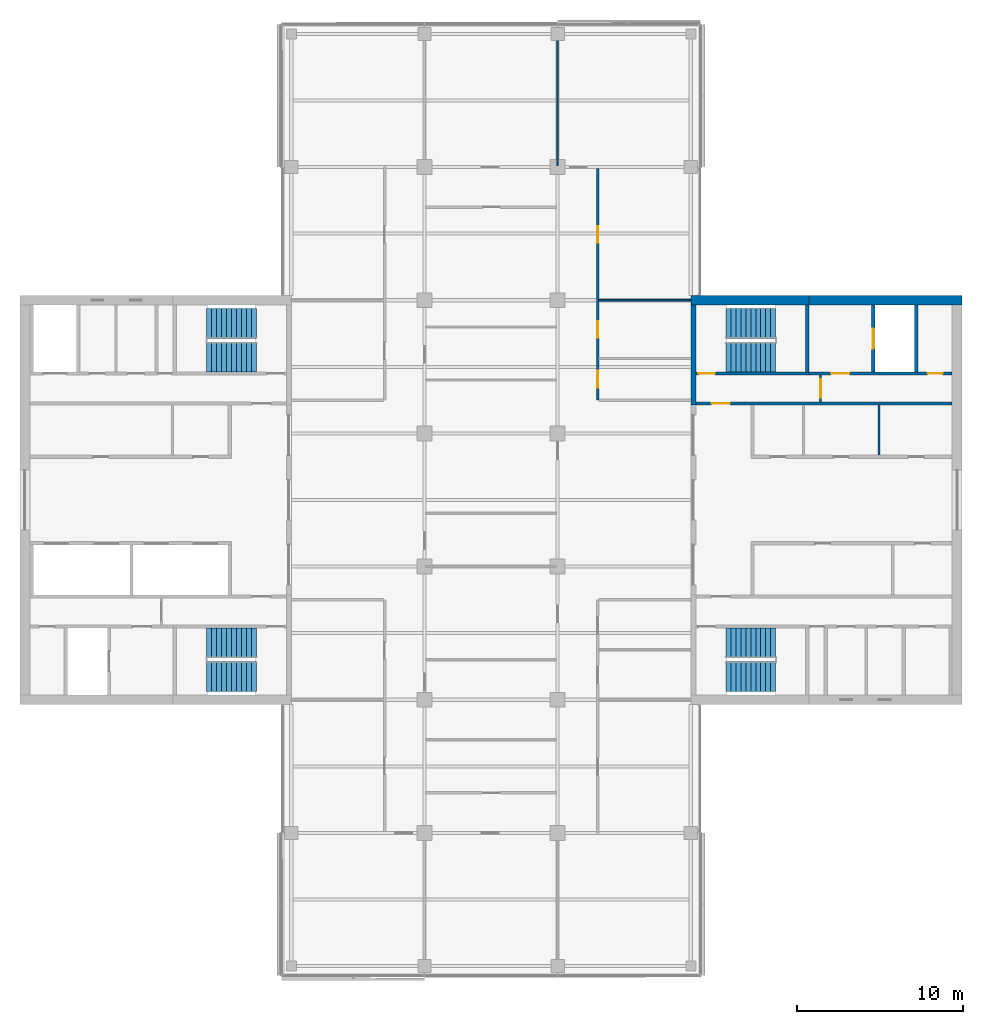
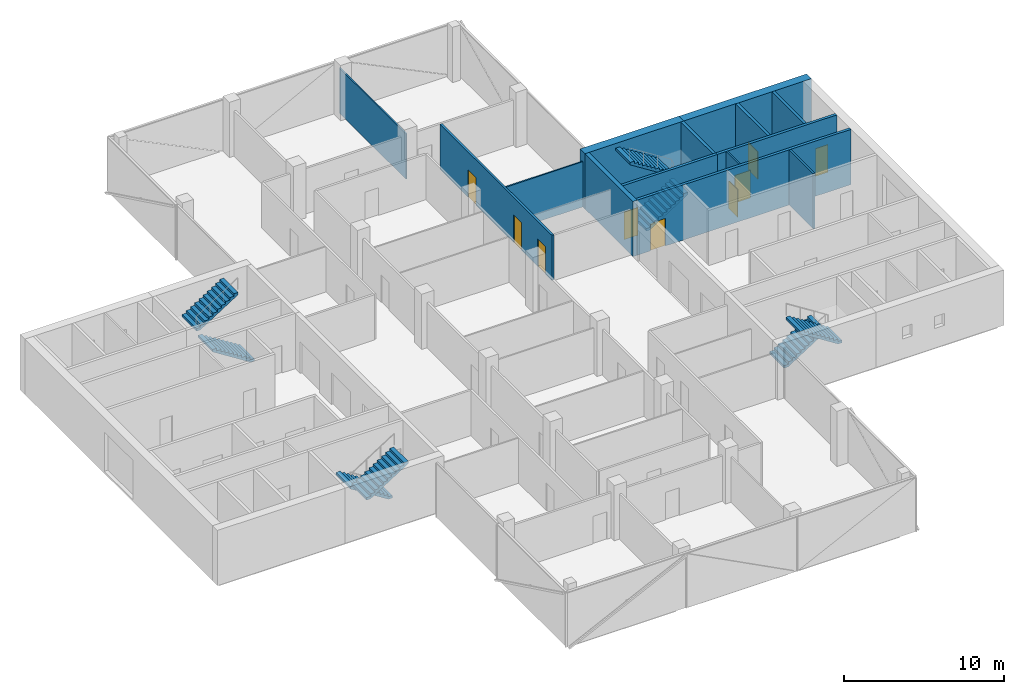
# One storey, part 12 of 15: 14 walls, 9 doors, 8 stair flights, 9 openings, 4 elements without a shape of their own.
"""IFC4 building model written with IfcOpenShell, lengths in metres."""

from ifc_helpers import new_model, si_unit, direction, frame, frame_2d, origin, place, context, subcontext, project, spatial, polyline, rectangle, outline, extrude, material, layer, layer_set, constituent, constituent_set, type_object, element, fill, aggregate, save


model = new_model("IFC4")

# Units and contexts
model_context = context("Model", 3, precision=1e-05, world=origin(), true_north=direction((0.0, 1.0)))
body_context = subcontext(model_context, "Body", "Model", "MODEL_VIEW")
ifc_project = project(units=[si_unit("LENGTHUNIT", "METRE"), si_unit("AREAUNIT", "SQUARE_METRE"), si_unit("VOLUMEUNIT", "CUBIC_METRE"), si_unit("PLANEANGLEUNIT", "RADIAN"), si_unit("MASSUNIT", "GRAM", prefix="KILO")], contexts=[model_context])

# Site, building, storey
site_placement = place(None, origin())
site = spatial("IfcSite", under=ifc_project, at=site_placement, CompositionType="ELEMENT")
building_placement = place(site_placement, origin())
building = spatial("IfcBuilding", under=site, at=building_placement, Name="Crosswind Convention Tower", CompositionType="ELEMENT")
storey_placement = place(building_placement, frame((0.0, 0.0, 204.10009765625)))
storey = spatial("IfcBuildingStorey", under=building, at=storey_placement, Name="L43", CompositionType="ELEMENT", Elevation=204.10009765625)

# Wall
ifc_material_1 = material(Name="Concrete C50/60", Category="concrete")
ifc_layer_1 = layer(ifc_material_1, 0.300048828125)
ifc_layer_set_1 = layer_set([ifc_layer_1], Name="Concrete C50/60")
wall_type_1 = type_object("IfcWallType", Name="Concrete inner core wall 300", PredefinedType="SHEAR", material=ifc_layer_set_1)
wall_1_placement = place(storey_placement, frame((137.14990234375, 105.699951171875, 0.0), z_axis=(0.0, 0.0, 1.0), x_axis=(0.0, 1.0, 0.0)))
element("IfcWall", 1, at=wall_1_placement, inside=storey, type_object=wall_type_1, Name="Wall EP E L43", PredefinedType="SHEAR", context=body_context, shape_type="SweptSolid", body=[
    extrude(rectangle(XDim=6.0, YDim=0.300048828125, at=frame_2d((3.0, 0.0))), origin(), (0.0, 0.0, 1.0), 4.199951171875),
])

# Wall, opening, door
ifc_layer_2 = layer(ifc_material_1, 0.199951171875)
ifc_layer_set_2 = layer_set([ifc_layer_2], Name="Concrete C50/60")
wall_type_2 = type_object("IfcWallType", Name="Concrete shaft and stair wall 200", PredefinedType="SHEAR", material=ifc_layer_set_2)
wall_2_placement = place(storey_placement, frame((137.300048828125, 105.800048828125, 0.0), z_axis=(0.0, 0.0, 1.0), x_axis=(1.0, 0.0, 0.0)))
wall_2 = element("IfcWall", 2, at=wall_2_placement, inside=storey, type_object=wall_type_2, Name="Wall HP E L43", PredefinedType="SHEAR", context=body_context, shape_type="SweptSolid", body=[
    extrude(rectangle(XDim=15.39990234375, YDim=0.199951171875, at=frame_2d((7.699951171875, 0.0))), origin(), (0.0, 0.0, 1.0), 4.199951171875),
])
opening_1_placement = place(wall_2_placement, frame((0.949951171875, 0.0, 0.0)))
opening_1 = element("IfcOpeningElement", 3, at=opening_1_placement, cuts=wall_2, Name="Opening D104", PredefinedType="OPENING", context=body_context, shape_type="SweptSolid", body=[
    extrude(rectangle(XDim=1.10009765625, YDim=2.10009765625, at=frame_2d((0.550048828125, 1.050048828125))), frame((0.0, 0.10986328125, 0.0), z_axis=(0.0, -1.0, 0.0), x_axis=(1.0, 0.0, 0.0)), (0.0, 0.0, 1.0), 0.219970703125),
])
ifc_material_2 = material(Name="Steel fire door", Category="steel")
door_type_1 = type_object("IfcDoorType", Name="Fire-rated single door 1100x2100", OperationType="NOTDEFINED", PredefinedType="DOOR", material=ifc_material_2)
door_1_placement = place(opening_1_placement, origin())
door_1 = element("IfcDoor", 4, at=door_1_placement, inside=storey, type_object=door_type_1, Name="Corridor door L43", ObjectType="D104", OperationType="SINGLE_SWING_LEFT", OverallHeight=2.10009765625, OverallWidth=1.10009765625, PredefinedType="DOOR", context=body_context, shape_type="SweptSolid", body=[
    extrude(rectangle(XDim=1.10009765625, YDim=2.10009765625, at=frame_2d((0.550048828125, 1.050048828125))), frame((0.0, 0.02490234375, 0.0), z_axis=(0.0, -1.0, 0.0), x_axis=(1.0, 0.0, 0.0)), (0.0, 0.0, 1.0), 0.050048828125),
])
fill(opening_1, door_1)

# Wall
wall_3_placement = place(storey_placement, frame((144.0, 107.699951171875, 0.0), z_axis=(0.0, 0.0, 1.0), x_axis=(0.0, 1.0, 0.0)))
element("IfcWall", 5, at=wall_3_placement, inside=storey, type_object=wall_type_2, Name="Wall PSE E L43", PredefinedType="SHEAR", context=body_context, shape_type="SweptSolid", body=[
    extrude(rectangle(XDim=4.0, YDim=0.199951171875, at=frame_2d((2.0, 0.0))), origin(), (0.0, 0.0, 1.0), 4.199951171875),
])

# Wall, opening, door
wall_4_placement = place(storey_placement, frame((147.949951171875, 107.699951171875, 0.0), z_axis=(0.0, 0.0, 1.0), x_axis=(0.0, 1.0, 0.0)))
wall_4 = element("IfcWall", 6, at=wall_4_placement, inside=storey, type_object=wall_type_2, Name="Wall PFLW E L43", PredefinedType="SHEAR", context=body_context, shape_type="SweptSolid", body=[
    extrude(rectangle(XDim=4.0, YDim=0.199951171875, at=frame_2d((2.0, 0.0))), origin(), (0.0, 0.0, 1.0), 4.199951171875),
])
opening_2_placement = place(wall_4_placement, frame((1.39990234375, 0.0, 0.0)))
opening_2 = element("IfcOpeningElement", 7, at=opening_2_placement, cuts=wall_4, Name="Opening LD1", PredefinedType="OPENING", context=body_context, shape_type="SweptSolid", body=[
    extrude(rectangle(XDim=1.199951171875, YDim=2.10009765625, at=frame_2d((0.60009765625, 1.050048828125))), frame((0.0, 0.10986328125, 0.0), z_axis=(0.0, -1.0, 0.0), x_axis=(1.0, 0.0, 0.0)), (0.0, 0.0, 1.0), 0.219970703125),
])
ifc_material_3 = material(Name="Stainless steel", Category="steel")
door_type_2 = type_object("IfcDoorType", Name="Lift landing door 1200x2100", OperationType="DOUBLE_DOOR_SLIDING", PredefinedType="DOOR", material=ifc_material_3)
door_2_placement = place(opening_2_placement, origin())
door_2 = element("IfcDoor", 8, at=door_2_placement, inside=storey, type_object=door_type_2, Name="Landing door FF1 L43", ObjectType="LD1", OperationType="DOUBLE_DOOR_SLIDING", OverallHeight=2.10009765625, OverallWidth=1.199951171875, PredefinedType="DOOR", context=body_context, shape_type="SweptSolid", body=[
    extrude(rectangle(XDim=1.199951171875, YDim=2.10009765625, at=frame_2d((0.60009765625, 1.050048828125))), frame((0.0, 0.02490234375, 0.0), z_axis=(0.0, -1.0, 0.0), x_axis=(1.0, 0.0, 0.0)), (0.0, 0.0, 1.0), 0.050048828125),
])
fill(opening_2, door_2)

# Wall
wall_5_placement = place(storey_placement, frame((150.550048828125, 107.699951171875, 0.0), z_axis=(0.0, 0.0, 1.0), x_axis=(0.0, 1.0, 0.0)))
element("IfcWall", 9, at=wall_5_placement, inside=storey, type_object=wall_type_2, Name="Wall PFSE E L43", PredefinedType="SHEAR", context=body_context, shape_type="SweptSolid", body=[
    extrude(rectangle(XDim=4.0, YDim=0.199951171875, at=frame_2d((2.0, 0.0))), origin(), (0.0, 0.0, 1.0), 4.199951171875),
])

# Wall, opening, door
wall_6_placement = place(storey_placement, frame((137.300048828125, 107.60009765625, 0.0), z_axis=(0.0, 0.0, 1.0), x_axis=(1.0, 0.0, 0.0)))
wall_6 = element("IfcWall", 10, at=wall_6_placement, inside=storey, type_object=wall_type_2, Name="Wall PCW E L43", PredefinedType="SHEAR", context=body_context, shape_type="SweptSolid", body=[
    extrude(rectangle(XDim=6.800048828125, YDim=0.199951171875, at=frame_2d((3.39990234375, 0.0))), origin(), (0.0, 0.0, 1.0), 4.199951171875),
])
opening_3_placement = place(wall_6_placement, frame((0.14990234375, 0.0, 0.0)))
opening_3 = element("IfcOpeningElement", 11, at=opening_3_placement, cuts=wall_6, Name="Opening D103", PredefinedType="OPENING", context=body_context, shape_type="SweptSolid", body=[
    extrude(rectangle(XDim=1.0, YDim=2.10009765625, at=frame_2d((0.5, 1.050048828125))), frame((0.0, 0.10986328125, 0.0), z_axis=(0.0, -1.0, 0.0), x_axis=(1.0, 0.0, 0.0)), (0.0, 0.0, 1.0), 0.219970703125),
])
door_type_3 = type_object("IfcDoorType", Name="Fire-rated single door 1000x2100", OperationType="NOTDEFINED", PredefinedType="DOOR", material=ifc_material_2)
door_3_placement = place(opening_3_placement, origin())
door_3 = element("IfcDoor", 12, at=door_3_placement, inside=storey, type_object=door_type_3, Name="Stair ST1 door L43", ObjectType="D103", OperationType="SINGLE_SWING_LEFT", OverallHeight=2.10009765625, OverallWidth=1.0, PredefinedType="DOOR", context=body_context, shape_type="SweptSolid", body=[
    extrude(rectangle(XDim=1.0, YDim=2.10009765625, at=frame_2d((0.5, 1.050048828125))), frame((0.0, 0.02490234375, 0.0), z_axis=(0.0, -1.0, 0.0), x_axis=(1.0, 0.0, 0.0)), (0.0, 0.0, 1.0), 0.050048828125),
])
fill(opening_3, door_3)

# Wall, openings, doors
wall_7_placement = place(storey_placement, frame((144.10009765625, 107.60009765625, 0.0), z_axis=(0.0, 0.0, 1.0), x_axis=(1.0, 0.0, 0.0)))
wall_7 = element("IfcWall", 13, at=wall_7_placement, inside=storey, type_object=wall_type_2, Name="Wall PCX E L43", PredefinedType="SHEAR", context=body_context, shape_type="SweptSolid", body=[
    extrude(rectangle(XDim=8.599853515625, YDim=0.199951171875, at=frame_2d((4.2998046875, 0.0))), origin(), (0.0, 0.0, 1.0), 4.199951171875),
])
opening_4_placement = place(wall_7_placement, frame((1.324951171875, 0.0, 0.0)))
opening_4 = element("IfcOpeningElement", 14, at=opening_4_placement, cuts=wall_7, Name="Opening D104", PredefinedType="OPENING", context=body_context, shape_type="SweptSolid", body=[
    extrude(rectangle(XDim=1.10009765625, YDim=2.10009765625, at=frame_2d((0.550048828125, 1.050048828125))), frame((0.0, 0.10986328125, 0.0), z_axis=(0.0, -1.0, 0.0), x_axis=(1.0, 0.0, 0.0)), (0.0, 0.0, 1.0), 0.219970703125),
])
opening_5_placement = place(wall_7_placement, frame((7.125, 0.0, 0.0)))
opening_5 = element("IfcOpeningElement", 15, at=opening_5_placement, cuts=wall_7, Name="Opening D106", PredefinedType="OPENING", context=body_context, shape_type="SweptSolid", body=[
    extrude(rectangle(XDim=0.89990234375, YDim=2.10009765625, at=frame_2d((0.449951171875, 1.050048828125))), frame((0.0, 0.10986328125, 0.0), z_axis=(0.0, -1.0, 0.0), x_axis=(1.0, 0.0, 0.0)), (0.0, 0.0, 1.0), 0.219970703125),
])
door_4_placement = place(opening_4_placement, origin())
door_4 = element("IfcDoor", 16, at=door_4_placement, inside=storey, type_object=door_type_1, Name="Fire-fighting lobby FF1 door L43", ObjectType="D104", OperationType="SINGLE_SWING_RIGHT", OverallHeight=2.10009765625, OverallWidth=1.10009765625, PredefinedType="DOOR", context=body_context, shape_type="SweptSolid", body=[
    extrude(rectangle(XDim=1.10009765625, YDim=2.10009765625, at=frame_2d((0.550048828125, 1.050048828125))), frame((0.0, 0.02490234375, 0.0), z_axis=(0.0, -1.0, 0.0), x_axis=(1.0, 0.0, 0.0)), (0.0, 0.0, 1.0), 0.050048828125),
])
fill(opening_4, door_4)
ifc_material_4 = material(Name="Timber door", Category="wood")
door_type_4 = type_object("IfcDoorType", Name="Single leaf door 900x2100", OperationType="NOTDEFINED", PredefinedType="DOOR", material=ifc_material_4)
door_5_placement = place(opening_5_placement, origin())
door_5 = element("IfcDoor", 17, at=door_5_placement, inside=storey, type_object=door_type_4, Name="Door to electrical room L43", ObjectType="D106", OperationType="SINGLE_SWING_RIGHT", OverallHeight=2.10009765625, OverallWidth=0.89990234375, PredefinedType="DOOR", context=body_context, shape_type="SweptSolid", body=[
    extrude(rectangle(XDim=0.89990234375, YDim=2.10009765625, at=frame_2d((0.449951171875, 1.050048828125))), frame((0.0, 0.02490234375, 0.0), z_axis=(0.0, -1.0, 0.0), x_axis=(1.0, 0.0, 0.0)), (0.0, 0.0, 1.0), 0.050048828125),
])
fill(opening_5, door_5)

# Wall
ifc_material_5 = material(Name="Gypsum plasterboard partition", Category="gypsum")
ifc_layer_3 = layer(ifc_material_5, 0.125)
ifc_layer_set_3 = layer_set([ifc_layer_3], Name="Drywall partition wall 125")
wall_type_3 = type_object("IfcWallType", Name="Drywall partition wall 125", PredefinedType="PARTITIONING", material=ifc_layer_set_3)
wall_8_placement = place(storey_placement, frame((148.297119140625, 102.699951171875, 0.0), z_axis=(0.0, 0.0, 1.0), x_axis=(0.0, 1.0, 0.0)))
element("IfcWall", 18, at=wall_8_placement, inside=storey, type_object=wall_type_3, Name="Wall RPP2 E L43", PredefinedType="PARTITIONING", context=body_context, shape_type="SweptSolid", body=[
    extrude(rectangle(XDim=3.0, YDim=0.125, at=frame_2d((1.5, 0.0))), origin(), (0.0, 0.0, 1.0), 4.199951171875),
])

# Wall, opening, door
wall_9_placement = place(storey_placement, frame((144.800048828125, 105.89990234375, 0.0), z_axis=(0.0, 0.0, 1.0), x_axis=(0.0, 1.0, 0.0)))
wall_9 = element("IfcWall", 19, at=wall_9_placement, inside=storey, type_object=wall_type_3, Name="Wall PXC1 E L43", PredefinedType="PARTITIONING", context=body_context, shape_type="SweptSolid", body=[
    extrude(rectangle(XDim=1.60009765625, YDim=0.125, at=frame_2d((0.800048828125, 0.0))), origin(), (0.0, 0.0, 1.0), 4.199951171875),
])
opening_6_placement = place(wall_9_placement, frame((0.25, 0.0, 0.0)))
opening_6 = element("IfcOpeningElement", 20, at=opening_6_placement, cuts=wall_9, Name="Opening D104", PredefinedType="OPENING", context=body_context, shape_type="SweptSolid", body=[
    extrude(rectangle(XDim=1.10009765625, YDim=2.10009765625, at=frame_2d((0.550048828125, 1.050048828125))), frame((0.0, 0.072509765625, 0.0), z_axis=(0.0, -1.0, 0.0), x_axis=(1.0, 0.0, 0.0)), (0.0, 0.0, 1.0), 0.14501953125),
])
door_6_placement = place(opening_6_placement, origin())
door_6 = element("IfcDoor", 21, at=door_6_placement, inside=storey, type_object=door_type_1, Name="Corridor smoke door L43", ObjectType="D104", OperationType="SINGLE_SWING_RIGHT", OverallHeight=2.10009765625, OverallWidth=1.10009765625, PredefinedType="DOOR", context=body_context, shape_type="SweptSolid", body=[
    extrude(rectangle(XDim=1.10009765625, YDim=2.10009765625, at=frame_2d((0.550048828125, 1.050048828125))), frame((0.0, 0.02490234375, 0.0), z_axis=(0.0, -1.0, 0.0), x_axis=(1.0, 0.0, 0.0)), (0.0, 0.0, 1.0), 0.050048828125),
])
fill(opening_6, door_6)

# Walls
ifc_material_6 = material(Name="Plasterboard partition", Category="gypsum")
ifc_layer_4 = layer(ifc_material_6, 0.10009765625)
ifc_layer_set_4 = layer_set([ifc_layer_4], Name="PARTITION 100 METAL STUD")
wall_type_4 = type_object("IfcWallType", Name="PARTITION 100 METAL STUD", PredefinedType="PARTITIONING", material=ifc_layer_set_4)
wall_10_placement = place(storey_placement, frame((129.0, 120.074951171875, 0.0), z_axis=(0.0, 0.0, 1.0), x_axis=(0.0, 1.0, 0.0)))
element("IfcWall", 22, at=wall_10_placement, inside=storey, type_object=wall_type_4, Name="Partition wall WT40", PredefinedType="PARTITIONING", context=body_context, shape_type="SweptSolid", body=[
    extrude(rectangle(XDim=8.295166015625, YDim=0.10009765625, at=frame_2d((4.1474609375, 0.0))), origin(), (0.0, 0.0, 1.0), 3.439697265625),
])
wall_11_placement = place(storey_placement, frame((131.47509765625, 112.0, 0.0), z_axis=(0.0, 0.0, 1.0), x_axis=(1.0, 0.0, 0.0)))
element("IfcWall", 23, at=wall_11_placement, inside=storey, type_object=wall_type_4, Name="Partition wall WT40", PredefinedType="PARTITIONING", context=body_context, shape_type="SweptSolid", body=[
    extrude(rectangle(XDim=5.52490234375, YDim=0.10009765625, at=frame_2d((2.762451171875, 0.0))), origin(), (0.0, 0.0, 1.0), 3.439697265625),
])

# Wall, openings, doors
ifc_material_7 = material(Name="Fire-board partition with mineral wool", Category="gypsum")
ifc_layer_5 = layer(ifc_material_7, 0.14990234375)
ifc_layer_set_5 = layer_set([ifc_layer_5], Name="TENANCY WALL 150 TWO-HOUR BOARD")
wall_type_5 = type_object("IfcWallType", Name="TENANCY WALL 150 TWO-HOUR BOARD", PredefinedType="PARTITIONING", material=ifc_layer_set_5)
wall_12_placement = place(storey_placement, frame((131.39990234375, 106.0, 0.0), z_axis=(0.0, 0.0, 1.0), x_axis=(0.0, 1.0, 0.0)))
wall_12 = element("IfcWall", 24, at=wall_12_placement, inside=storey, type_object=wall_type_5, Name="Tenancy wall WT41", PredefinedType="PARTITIONING", context=body_context, shape_type="SweptSolid", body=[
    extrude(rectangle(XDim=13.925048828125, YDim=0.14990234375, at=frame_2d((6.96240234375, 0.0))), origin(), (0.0, 0.0, 1.0), 3.439697265625),
])
opening_7_placement = place(wall_12_placement, frame((0.75, 0.0, 0.0)))
opening_7 = element("IfcOpeningElement", 25, at=opening_7_placement, cuts=wall_12, Name="Opening L43-50", PredefinedType="OPENING", context=body_context, shape_type="SweptSolid", body=[
    extrude(rectangle(XDim=1.0, YDim=2.10009765625, at=frame_2d((0.5, 1.050048828125))), frame((0.0, 0.0849609375, 0.0), z_axis=(0.0, -1.0, 0.0), x_axis=(1.0, 0.0, 0.0)), (0.0, 0.0, 1.0), 0.169921875),
])
opening_8_placement = place(wall_12_placement, frame((3.75, 0.0, 0.0)))
opening_8 = element("IfcOpeningElement", 26, at=opening_8_placement, cuts=wall_12, Name="Opening L43-51", PredefinedType="OPENING", context=body_context, shape_type="SweptSolid", body=[
    extrude(rectangle(XDim=1.0, YDim=2.10009765625, at=frame_2d((0.5, 1.050048828125))), frame((0.0, 0.0849609375, 0.0), z_axis=(0.0, -1.0, 0.0), x_axis=(1.0, 0.0, 0.0)), (0.0, 0.0, 1.0), 0.169921875),
])
opening_9_placement = place(wall_12_placement, frame((9.449951171875, 0.0, 0.0)))
opening_9 = element("IfcOpeningElement", 27, at=opening_9_placement, cuts=wall_12, Name="Opening L43-52", PredefinedType="OPENING", context=body_context, shape_type="SweptSolid", body=[
    extrude(rectangle(XDim=1.0, YDim=2.10009765625, at=frame_2d((0.5, 1.050048828125))), frame((0.0, 0.0849609375, 0.0), z_axis=(0.0, -1.0, 0.0), x_axis=(1.0, 0.0, 0.0)), (0.0, 0.0, 1.0), 0.169921875),
])
ifc_material_8 = material(Name="Timber fire door", Category="wood")
door_type_5 = type_object("IfcDoorType", Name="TENANCY ENTRANCE DOOR 1000X2100 FD30S", OperationType="NOTDEFINED", PredefinedType="DOOR", material=ifc_material_8)
door_7_placement = place(opening_7_placement, frame((1.0, 0.0, 0.0), z_axis=(0.0, 0.0, 1.0), x_axis=(-1.0, 0.0, 0.0)))
door_7 = element("IfcDoor", 28, at=door_7_placement, inside=storey, type_object=door_type_5, Name="Door L43-50", ObjectType="D41", OperationType="SINGLE_SWING_LEFT", OverallHeight=2.10009765625, OverallWidth=1.0, PredefinedType="DOOR", context=body_context, shape_type="SweptSolid", body=[
    extrude(rectangle(XDim=1.0, YDim=2.10009765625, at=frame_2d((0.5, 1.050048828125))), frame((0.0, 0.02490234375, 0.0), z_axis=(0.0, -1.0, 0.0), x_axis=(1.0, 0.0, 0.0)), (0.0, 0.0, 1.0), 0.050048828125),
])
fill(opening_7, door_7)
door_8_placement = place(opening_8_placement, frame((1.0, 0.0, 0.0), z_axis=(0.0, 0.0, 1.0), x_axis=(-1.0, 0.0, 0.0)))
door_8 = element("IfcDoor", 29, at=door_8_placement, inside=storey, type_object=door_type_5, Name="Door L43-51", ObjectType="D41", OperationType="SINGLE_SWING_LEFT", OverallHeight=2.10009765625, OverallWidth=1.0, PredefinedType="DOOR", context=body_context, shape_type="SweptSolid", body=[
    extrude(rectangle(XDim=1.0, YDim=2.10009765625, at=frame_2d((0.5, 1.050048828125))), frame((0.0, 0.02490234375, 0.0), z_axis=(0.0, -1.0, 0.0), x_axis=(1.0, 0.0, 0.0)), (0.0, 0.0, 1.0), 0.050048828125),
])
fill(opening_8, door_8)
door_9_placement = place(opening_9_placement, frame((1.0, 0.0, 0.0), z_axis=(0.0, 0.0, 1.0), x_axis=(-1.0, 0.0, 0.0)))
door_9 = element("IfcDoor", 30, at=door_9_placement, inside=storey, type_object=door_type_5, Name="Door L43-52", ObjectType="D41", OperationType="SINGLE_SWING_RIGHT", OverallHeight=2.10009765625, OverallWidth=1.0, PredefinedType="DOOR", context=body_context, shape_type="SweptSolid", body=[
    extrude(rectangle(XDim=1.0, YDim=2.10009765625, at=frame_2d((0.5, 1.050048828125))), frame((0.0, 0.02490234375, 0.0), z_axis=(0.0, -1.0, 0.0), x_axis=(1.0, 0.0, 0.0)), (0.0, 0.0, 1.0), 0.050048828125),
])
fill(opening_9, door_9)

# Walls
ifc_material_9 = material(Name="Concrete C60/75", Category="concrete")
ifc_constituent_1 = constituent(ifc_material_9, Name="Structure")
ifc_material_10 = material(Name="Terracotta rainscreen", Category="ceramic")
ifc_constituent_2 = constituent(ifc_material_10, Name="Facing")
ifc_constituent_set = constituent_set(constituents=[ifc_constituent_1, ifc_constituent_2], Name="Concrete C60/75, Terracotta rainscreen")
wall_type_6 = type_object("IfcWallType", Name="Terracotta rainscreen on concrete core wall 600", PredefinedType="SHEAR", material=ifc_constituent_set)
wall_13_placement = place(storey_placement, frame((137.0, 112.0, 0.0), z_axis=(0.0, 0.0, 1.0), x_axis=(1.0, 0.0, 0.0)))
element("IfcWall", 31, at=wall_13_placement, inside=storey, type_object=wall_type_6, Name="Wall N1 E L43", PredefinedType="SHEAR", context=body_context, shape_type="SweptSolid", body=[
    extrude(rectangle(XDim=7.10009765625, YDim=0.60009765625, at=frame_2d((3.550048828125, 0.0))), origin(), (0.0, 0.0, 1.0), 4.199951171875),
])
wall_14_placement = place(storey_placement, frame((144.10009765625, 112.0, 0.0), z_axis=(0.0, 0.0, 1.0), x_axis=(1.0, 0.0, 0.0)))
element("IfcWall", 32, at=wall_14_placement, inside=storey, type_object=wall_type_6, Name="Wall N2 E L43", PredefinedType="SHEAR", context=body_context, shape_type="SweptSolid", body=[
    extrude(rectangle(XDim=9.199951171875, YDim=0.60009765625, at=frame_2d((4.60009765625, 0.0))), origin(), (0.0, 0.0, 1.0), 4.199951171875),
])

# Stair, stair flights
ifc_material_11 = material(Name="Concrete C40/50", Category="concrete")
stair_type = type_object("IfcStairType", Name="Exit stair 1800 wide, 2 flights of 11 risers", PredefinedType="HALF_TURN_STAIR", material=ifc_material_11)
stair_1_placement = place(storey_placement, origin())
stair_1 = element("IfcStair", 33, at=stair_1_placement, inside=storey, type_object=stair_type, Name="Exit stair ST1 L43", ObjectType="ST5", PredefinedType="HALF_TURN_STAIR")
stair_flight_type = type_object("IfcStairFlightType", Name="Stair flight 1800 wide, 11 risers (SF4)", PredefinedType="STRAIGHT", material=ifc_material_11)
stair_flight_1_placement = place(storey_placement, frame((139.10009765625, 108.60009765625, 0.0), z_axis=(0.0, 0.0, 1.0), x_axis=(1.0, 0.0, 0.0)))
stair_flight_1 = element("IfcStairFlight", 34, at=stair_flight_1_placement, type_object=stair_flight_type, Name="ST1 flight 1", NumberOfRisers=11, NumberOfTreads=10, PredefinedType="STRAIGHT", RiserHeight=0.190909091, TreadLength=0.3, context=body_context, shape_type="SweptSolid", body=[
    extrude(outline(polyline([(0.0, 0.0), (0.0, 0.19091796875), (0.300048828125, 0.19091796875), (0.300048828125, 0.3818359375), (0.60009765625, 0.3818359375), (0.60009765625, 0.57275390625), (0.89990234375, 0.57275390625), (0.89990234375, 0.763671875), (1.199951171875, 0.763671875), (1.199951171875, 0.95458984375), (1.5, 0.95458984375), (1.5, 1.1455078125), (1.800048828125, 1.1455078125), (1.800048828125, 1.33642578125), (2.10009765625, 1.33642578125), (2.10009765625, 1.52734375), (2.39990234375, 1.52734375), (2.39990234375, 1.71826171875), (2.699951171875, 1.71826171875), (2.699951171875, 1.9091796875), (3.0, 1.9091796875), (3.0, 2.10009765625), (3.0, 1.7314453125), (0.279296875, 0.0), (0.0, 0.0)])), frame((0.0, 0.89990234375, 0.0), z_axis=(0.0, -1.0, 0.0), x_axis=(1.0, 0.0, 0.0)), (0.0, 0.0, 1.0), 1.800048828125),
])
stair_flight_2_placement = place(storey_placement, frame((142.10009765625, 110.60009765625, 2.099853515625), z_axis=(0.0, 0.0, 1.0), x_axis=(-1.0, 0.0, 0.0)))
stair_flight_2 = element("IfcStairFlight", 35, at=stair_flight_2_placement, type_object=stair_flight_type, Name="ST1 flight 2", NumberOfRisers=11, NumberOfTreads=10, PredefinedType="STRAIGHT", RiserHeight=0.190909091, TreadLength=0.3, context=body_context, shape_type="SweptSolid", body=[
    extrude(outline(polyline([(0.0, 0.0), (0.0, 0.19091796875), (0.300048828125, 0.19091796875), (0.300048828125, 0.3818359375), (0.60009765625, 0.3818359375), (0.60009765625, 0.57275390625), (0.89990234375, 0.57275390625), (0.89990234375, 0.763671875), (1.199951171875, 0.763671875), (1.199951171875, 0.95458984375), (1.5, 0.95458984375), (1.5, 1.1455078125), (1.800048828125, 1.1455078125), (1.800048828125, 1.33642578125), (2.10009765625, 1.33642578125), (2.10009765625, 1.52734375), (2.39990234375, 1.52734375), (2.39990234375, 1.71826171875), (2.699951171875, 1.71826171875), (2.699951171875, 1.9091796875), (3.0, 1.9091796875), (3.0, 2.10009765625), (3.0, 1.7314453125), (0.279296875, 0.0), (0.0, 0.0)])), frame((0.0, 0.89990234375, 0.0), z_axis=(0.0, -1.0, 0.0), x_axis=(1.0, 0.0, 0.0)), (0.0, 0.0, 1.0), 1.800048828125),
])
aggregate(stair_1, [stair_flight_1, stair_flight_2])

stair_2_placement = place(storey_placement, origin())
stair_2 = element("IfcStair", 36, at=stair_2_placement, inside=storey, type_object=stair_type, Name="Exit stair ST2 L43", ObjectType="ST5", PredefinedType="HALF_TURN_STAIR")
stair_flight_3_placement = place(storey_placement, frame((139.10009765625, 91.39990234375, 0.0), z_axis=(0.0, 0.0, 1.0), x_axis=(1.0, 0.0, 0.0)))
stair_flight_3 = element("IfcStairFlight", 37, at=stair_flight_3_placement, type_object=stair_flight_type, Name="ST2 flight 1", NumberOfRisers=11, NumberOfTreads=10, PredefinedType="STRAIGHT", RiserHeight=0.190909091, TreadLength=0.3, context=body_context, shape_type="SweptSolid", body=[
    extrude(outline(polyline([(0.0, 0.0), (0.0, 0.19091796875), (0.300048828125, 0.19091796875), (0.300048828125, 0.3818359375), (0.60009765625, 0.3818359375), (0.60009765625, 0.57275390625), (0.89990234375, 0.57275390625), (0.89990234375, 0.763671875), (1.199951171875, 0.763671875), (1.199951171875, 0.95458984375), (1.5, 0.95458984375), (1.5, 1.1455078125), (1.800048828125, 1.1455078125), (1.800048828125, 1.33642578125), (2.10009765625, 1.33642578125), (2.10009765625, 1.52734375), (2.39990234375, 1.52734375), (2.39990234375, 1.71826171875), (2.699951171875, 1.71826171875), (2.699951171875, 1.9091796875), (3.0, 1.9091796875), (3.0, 2.10009765625), (3.0, 1.7314453125), (0.279296875, 0.0), (0.0, 0.0)])), frame((0.0, 0.89990234375, 0.0), z_axis=(0.0, -1.0, 0.0), x_axis=(1.0, 0.0, 0.0)), (0.0, 0.0, 1.0), 1.800048828125),
])
stair_flight_4_placement = place(storey_placement, frame((142.10009765625, 89.39990234375, 2.099853515625), z_axis=(0.0, 0.0, 1.0), x_axis=(-1.0, 0.0, 0.0)))
stair_flight_4 = element("IfcStairFlight", 38, at=stair_flight_4_placement, type_object=stair_flight_type, Name="ST2 flight 2", NumberOfRisers=11, NumberOfTreads=10, PredefinedType="STRAIGHT", RiserHeight=0.190909091, TreadLength=0.3, context=body_context, shape_type="SweptSolid", body=[
    extrude(outline(polyline([(0.0, 0.0), (0.0, 0.19091796875), (0.300048828125, 0.19091796875), (0.300048828125, 0.3818359375), (0.60009765625, 0.3818359375), (0.60009765625, 0.57275390625), (0.89990234375, 0.57275390625), (0.89990234375, 0.763671875), (1.199951171875, 0.763671875), (1.199951171875, 0.95458984375), (1.5, 0.95458984375), (1.5, 1.1455078125), (1.800048828125, 1.1455078125), (1.800048828125, 1.33642578125), (2.10009765625, 1.33642578125), (2.10009765625, 1.52734375), (2.39990234375, 1.52734375), (2.39990234375, 1.71826171875), (2.699951171875, 1.71826171875), (2.699951171875, 1.9091796875), (3.0, 1.9091796875), (3.0, 2.10009765625), (3.0, 1.7314453125), (0.279296875, 0.0), (0.0, 0.0)])), frame((0.0, 0.89990234375, 0.0), z_axis=(0.0, -1.0, 0.0), x_axis=(1.0, 0.0, 0.0)), (0.0, 0.0, 1.0), 1.800048828125),
])
aggregate(stair_2, [stair_flight_3, stair_flight_4])

stair_3_placement = place(storey_placement, origin())
stair_3 = element("IfcStair", 39, at=stair_3_placement, inside=storey, type_object=stair_type, Name="Exit stair ST3 L43", ObjectType="ST5", PredefinedType="HALF_TURN_STAIR")
stair_flight_5_placement = place(storey_placement, frame((110.89990234375, 91.39990234375, 0.0), z_axis=(0.0, 0.0, 1.0), x_axis=(-1.0, 0.0, 0.0)))
stair_flight_5 = element("IfcStairFlight", 40, at=stair_flight_5_placement, type_object=stair_flight_type, Name="ST3 flight 1", NumberOfRisers=11, NumberOfTreads=10, PredefinedType="STRAIGHT", RiserHeight=0.190909091, TreadLength=0.3, context=body_context, shape_type="SweptSolid", body=[
    extrude(outline(polyline([(0.0, 0.0), (0.0, 0.19091796875), (0.300048828125, 0.19091796875), (0.300048828125, 0.3818359375), (0.60009765625, 0.3818359375), (0.60009765625, 0.57275390625), (0.89990234375, 0.57275390625), (0.89990234375, 0.763671875), (1.199951171875, 0.763671875), (1.199951171875, 0.95458984375), (1.5, 0.95458984375), (1.5, 1.1455078125), (1.800048828125, 1.1455078125), (1.800048828125, 1.33642578125), (2.10009765625, 1.33642578125), (2.10009765625, 1.52734375), (2.39990234375, 1.52734375), (2.39990234375, 1.71826171875), (2.699951171875, 1.71826171875), (2.699951171875, 1.9091796875), (3.0, 1.9091796875), (3.0, 2.10009765625), (3.0, 1.7314453125), (0.279296875, 0.0), (0.0, 0.0)])), frame((0.0, 0.89990234375, 0.0), z_axis=(0.0, -1.0, 0.0), x_axis=(1.0, 0.0, 0.0)), (0.0, 0.0, 1.0), 1.800048828125),
])
stair_flight_6_placement = place(storey_placement, frame((107.89990234375, 89.39990234375, 2.099853515625), z_axis=(0.0, 0.0, 1.0), x_axis=(1.0, 0.0, 0.0)))
stair_flight_6 = element("IfcStairFlight", 41, at=stair_flight_6_placement, type_object=stair_flight_type, Name="ST3 flight 2", NumberOfRisers=11, NumberOfTreads=10, PredefinedType="STRAIGHT", RiserHeight=0.190909091, TreadLength=0.3, context=body_context, shape_type="SweptSolid", body=[
    extrude(outline(polyline([(0.0, 0.0), (0.0, 0.19091796875), (0.300048828125, 0.19091796875), (0.300048828125, 0.3818359375), (0.60009765625, 0.3818359375), (0.60009765625, 0.57275390625), (0.89990234375, 0.57275390625), (0.89990234375, 0.763671875), (1.199951171875, 0.763671875), (1.199951171875, 0.95458984375), (1.5, 0.95458984375), (1.5, 1.1455078125), (1.800048828125, 1.1455078125), (1.800048828125, 1.33642578125), (2.10009765625, 1.33642578125), (2.10009765625, 1.52734375), (2.39990234375, 1.52734375), (2.39990234375, 1.71826171875), (2.699951171875, 1.71826171875), (2.699951171875, 1.9091796875), (3.0, 1.9091796875), (3.0, 2.10009765625), (3.0, 1.7314453125), (0.279296875, 0.0), (0.0, 0.0)])), frame((0.0, 0.89990234375, 0.0), z_axis=(0.0, -1.0, 0.0), x_axis=(1.0, 0.0, 0.0)), (0.0, 0.0, 1.0), 1.800048828125),
])
aggregate(stair_3, [stair_flight_5, stair_flight_6])

stair_4_placement = place(storey_placement, origin())
stair_4 = element("IfcStair", 42, at=stair_4_placement, inside=storey, type_object=stair_type, Name="Exit stair ST4 L43", ObjectType="ST5", PredefinedType="HALF_TURN_STAIR")
stair_flight_7_placement = place(storey_placement, frame((110.89990234375, 108.60009765625, 0.0), z_axis=(0.0, 0.0, 1.0), x_axis=(-1.0, 0.0, 0.0)))
stair_flight_7 = element("IfcStairFlight", 43, at=stair_flight_7_placement, type_object=stair_flight_type, Name="ST4 flight 1", NumberOfRisers=11, NumberOfTreads=10, PredefinedType="STRAIGHT", RiserHeight=0.190909091, TreadLength=0.3, context=body_context, shape_type="SweptSolid", body=[
    extrude(outline(polyline([(0.0, 0.0), (0.0, 0.19091796875), (0.300048828125, 0.19091796875), (0.300048828125, 0.3818359375), (0.60009765625, 0.3818359375), (0.60009765625, 0.57275390625), (0.89990234375, 0.57275390625), (0.89990234375, 0.763671875), (1.199951171875, 0.763671875), (1.199951171875, 0.95458984375), (1.5, 0.95458984375), (1.5, 1.1455078125), (1.800048828125, 1.1455078125), (1.800048828125, 1.33642578125), (2.10009765625, 1.33642578125), (2.10009765625, 1.52734375), (2.39990234375, 1.52734375), (2.39990234375, 1.71826171875), (2.699951171875, 1.71826171875), (2.699951171875, 1.9091796875), (3.0, 1.9091796875), (3.0, 2.10009765625), (3.0, 1.7314453125), (0.279296875, 0.0), (0.0, 0.0)])), frame((0.0, 0.89990234375, 0.0), z_axis=(0.0, -1.0, 0.0), x_axis=(1.0, 0.0, 0.0)), (0.0, 0.0, 1.0), 1.800048828125),
])
stair_flight_8_placement = place(storey_placement, frame((107.89990234375, 110.60009765625, 2.099853515625), z_axis=(0.0, 0.0, 1.0), x_axis=(1.0, 0.0, 0.0)))
stair_flight_8 = element("IfcStairFlight", 44, at=stair_flight_8_placement, type_object=stair_flight_type, Name="ST4 flight 2", NumberOfRisers=11, NumberOfTreads=10, PredefinedType="STRAIGHT", RiserHeight=0.190909091, TreadLength=0.3, context=body_context, shape_type="SweptSolid", body=[
    extrude(outline(polyline([(0.0, 0.0), (0.0, 0.19091796875), (0.300048828125, 0.19091796875), (0.300048828125, 0.3818359375), (0.60009765625, 0.3818359375), (0.60009765625, 0.57275390625), (0.89990234375, 0.57275390625), (0.89990234375, 0.763671875), (1.199951171875, 0.763671875), (1.199951171875, 0.95458984375), (1.5, 0.95458984375), (1.5, 1.1455078125), (1.800048828125, 1.1455078125), (1.800048828125, 1.33642578125), (2.10009765625, 1.33642578125), (2.10009765625, 1.52734375), (2.39990234375, 1.52734375), (2.39990234375, 1.71826171875), (2.699951171875, 1.71826171875), (2.699951171875, 1.9091796875), (3.0, 1.9091796875), (3.0, 2.10009765625), (3.0, 1.7314453125), (0.279296875, 0.0), (0.0, 0.0)])), frame((0.0, 0.89990234375, 0.0), z_axis=(0.0, -1.0, 0.0), x_axis=(1.0, 0.0, 0.0)), (0.0, 0.0, 1.0), 1.800048828125),
])
aggregate(stair_4, [stair_flight_7, stair_flight_8])

save(model, "model.ifc")
